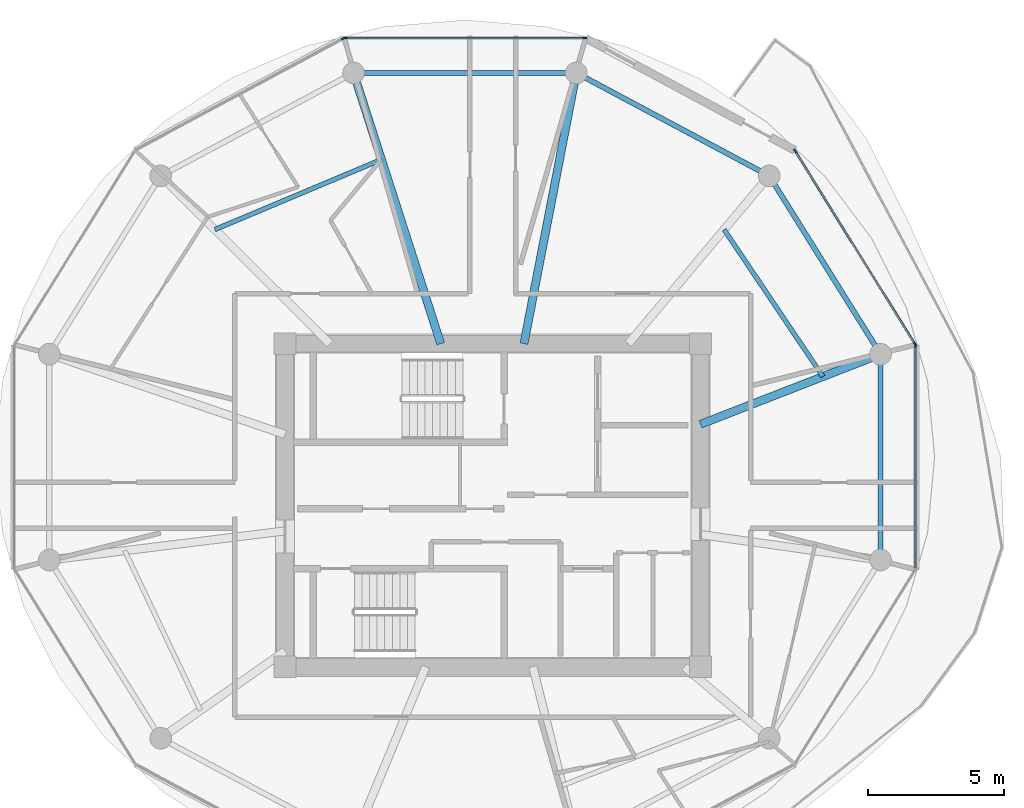
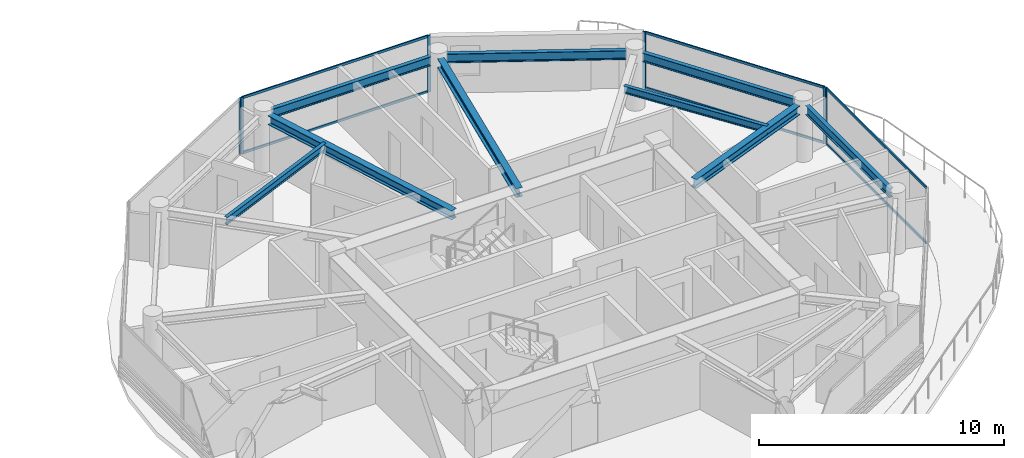
# One storey, part 11 of 23: 12 members, 9 beams, 4 elements without a shape of their own.
"""IFC4 building model written with IfcOpenShell, lengths in metres."""

from ifc_helpers import new_model, si_unit, direction, frame, origin, origin_2d, place, context, subcontext, project, spatial, rectangle, i_section, extrude, source, transform, mapped, material, layer, layer_set, material_profile, profile_set, type_object, type_shapes, element, aggregate, save


model = new_model("IFC4")

# Units and contexts
model_context = context("Model", 3, precision=1e-05, world=origin(), true_north=direction((0.0, 1.0)))
body_context = subcontext(model_context, "Body", "Model", "MODEL_VIEW")
ifc_project = project(units=[si_unit("LENGTHUNIT", "METRE"), si_unit("AREAUNIT", "SQUARE_METRE"), si_unit("VOLUMEUNIT", "CUBIC_METRE"), si_unit("PLANEANGLEUNIT", "RADIAN"), si_unit("MASSUNIT", "GRAM", prefix="KILO")], contexts=[model_context])

# Site, building, storey
site_placement = place(None, origin())
site = spatial("IfcSite", under=ifc_project, at=site_placement, CompositionType="ELEMENT")
building_placement = place(site_placement, origin())
building = spatial("IfcBuilding", under=site, at=building_placement, Name="Norrkilde Senior Care Towers", CompositionType="ELEMENT")
storey_placement = place(building_placement, frame((0.0, 0.0, 164.800048828125)))
storey = spatial("IfcBuildingStorey", under=building, at=storey_placement, Name="L51", CompositionType="ELEMENT", Elevation=164.800048828125)

# Beams
ifc_material_1 = material(Name="Steel S355", Category="steel")
ifc_material_profile_1 = material_profile(ifc_material_1, i_section(OverallWidth=0.18994140625, OverallDepth=0.449951171875, WebThickness=0.009521484375, FlangeThickness=0.0146484375, FilletRadius=0.02099609375, at=origin_2d()), Name="IPE 450")
ifc_profile_set_1 = profile_set([ifc_material_profile_1], Name="Steel S355")
beam_type_1 = type_object("IfcBeamType", Name="Perimeter Ring Spandrel Z3 IPE450", PredefinedType="SPANDREL", material=ifc_profile_set_1)
shared_shape_1 = source(origin(), body_context, "Body", "SweptSolid", [
    extrude(i_section(OverallWidth=0.18994140625, OverallDepth=0.449951171875, WebThickness=0.009521484375, FlangeThickness=0.0146484375, FilletRadius=0.02099609375, at=origin_2d()), origin(), (0.0, 0.0, 1.0), 7.0234375),
])
beam_1_placement = place(storey_placement, frame((42.09423828125, 5.872314453125, 2.5849609375), z_axis=(-0.529789577822, 0.848129119433, 0.0), x_axis=(-0.848129119433, -0.529789577822, 0.0)))
element("IfcBeam", 1, at=beam_1_placement, inside=storey, type_object=beam_type_1, Name="L51 Drum E Perimeter Spandrel 01", PredefinedType="SPANDREL", context=body_context, shape_type="MappedRepresentation", body=[
    mapped(shared_shape_1, transform((0.0, 0.0, 0.0), x_axis=(1.0, 0.0, 0.0), y_axis=(0.0, 1.0, 0.0), z_axis=(0.0, 0.0, 1.0), scale=1.0)),
])
shared_shape_2 = source(origin(), body_context, "Body", "SweptSolid", [
    extrude(i_section(OverallWidth=0.18994140625, OverallDepth=0.449951171875, WebThickness=0.009521484375, FlangeThickness=0.0146484375, FilletRadius=0.02099609375, at=origin_2d()), origin(), (0.0, 0.0, 1.0), 7.333740234375),
])
beam_2_placement = place(storey_placement, frame((37.864990234375, 12.303955078125, 2.5849609375), z_axis=(-0.882247866069, 0.470785198172, 0.0), x_axis=(-0.470785198172, -0.882247866069, 0.0)))
element("IfcBeam", 2, at=beam_2_placement, inside=storey, type_object=beam_type_1, Name="L51 Drum E Perimeter Spandrel 02", PredefinedType="SPANDREL", context=body_context, shape_type="MappedRepresentation", body=[
    mapped(shared_shape_2, transform((0.0, 0.0, 0.0), x_axis=(1.0, 0.0, 0.0), y_axis=(0.0, 1.0, 0.0), z_axis=(0.0, 0.0, 1.0), scale=1.0)),
])
shared_shape_3 = source(origin(), body_context, "Body", "SweptSolid", [
    extrude(i_section(OverallWidth=0.18994140625, OverallDepth=0.449951171875, WebThickness=0.009521484375, FlangeThickness=0.0146484375, FilletRadius=0.02099609375, at=origin_2d()), origin(), (0.0, 0.0, 1.0), 7.484619140625),
])
beam_3_placement = place(storey_placement, frame((30.71728515625, 15.92626953125, 2.5849609375), z_axis=(-1.0, 0.0, 0.0), x_axis=(0.0, -1.0, 0.0)))
element("IfcBeam", 3, at=beam_3_placement, inside=storey, type_object=beam_type_1, Name="L51 Drum E Perimeter Spandrel 03", PredefinedType="SPANDREL", context=body_context, shape_type="MappedRepresentation", body=[
    mapped(shared_shape_3, transform((0.0, 0.0, 0.0), x_axis=(1.0, 0.0, 0.0), y_axis=(0.0, 1.0, 0.0), z_axis=(0.0, 0.0, 1.0), scale=1.0)),
])
ifc_material_profile_2 = material_profile(ifc_material_1, i_section(OverallWidth=0.300048828125, OverallDepth=0.449951171875, WebThickness=0.013916015625, FlangeThickness=0.02587890625, FilletRadius=0.027099609375, at=origin_2d()), Name="HEB 450")
ifc_profile_set_2 = profile_set([ifc_material_profile_2], Name="Steel S355")
beam_type_2 = type_object("IfcBeamType", Name="Radial Floor Beam Z3 HEB450", PredefinedType="BEAM", material=ifc_profile_set_2)
shared_shape_4 = source(origin(), body_context, "Body", "SweptSolid", [
    extrude(i_section(OverallWidth=0.300048828125, OverallDepth=0.449951171875, WebThickness=0.013916015625, FlangeThickness=0.02587890625, FilletRadius=0.027099609375, at=origin_2d()), origin(), (0.0, 0.0, 1.0), 10.120361328125),
])
beam_4_placement = place(storey_placement, frame((26.08447265625, 5.949951171875, 2.5849609375), z_axis=(-0.306440973744, 0.951889662519, 0.0), x_axis=(-0.951889662519, -0.306440973744, 0.0)))
element("IfcBeam", 4, at=beam_4_placement, inside=storey, type_object=beam_type_2, Name="L51 Drum E Radial Floor Beam 04", PredefinedType="BEAM", context=body_context, shape_type="MappedRepresentation", body=[
    mapped(shared_shape_4, transform((0.0, 0.0, 0.0), x_axis=(1.0, 0.0, 0.0), y_axis=(0.0, 1.0, 0.0), z_axis=(0.0, 0.0, 1.0), scale=1.0)),
])
shared_shape_5 = source(origin(), body_context, "Body", "SweptSolid", [
    extrude(i_section(OverallWidth=0.300048828125, OverallDepth=0.449951171875, WebThickness=0.013916015625, FlangeThickness=0.02587890625, FilletRadius=0.027099609375, at=origin_2d()), origin(), (0.0, 0.0, 1.0), 9.80078125),
])
beam_5_placement = place(storey_placement, frame((29.149658203125, 5.949951171875, 2.5849609375), z_axis=(0.189716727661, 0.98183886827, 0.0), x_axis=(-0.98183886827, 0.189716727661, 0.0)))
element("IfcBeam", 5, at=beam_5_placement, inside=storey, type_object=beam_type_2, Name="L51 Drum E Radial Floor Beam 03", PredefinedType="BEAM", context=body_context, shape_type="MappedRepresentation", body=[
    mapped(shared_shape_5, transform((0.0, 0.0, 0.0), x_axis=(1.0, 0.0, 0.0), y_axis=(0.0, 1.0, 0.0), z_axis=(0.0, 0.0, 1.0), scale=1.0)),
])
shared_shape_6 = source(origin(), body_context, "Body", "SweptSolid", [
    extrude(i_section(OverallWidth=0.18994140625, OverallDepth=0.449951171875, WebThickness=0.009521484375, FlangeThickness=0.0146484375, FilletRadius=0.02099609375, at=origin_2d()), origin(), (0.0, 0.0, 1.0), 6.86328125),
])
type_shapes(beam_type_1, [shared_shape_1, shared_shape_2, shared_shape_3, shared_shape_6])
beam_6_placement = place(storey_placement, frame((42.284912109375, -1.65625, 2.5849609375), z_axis=(0.0, 1.0, 0.0), x_axis=(-1.0, 0.0, 0.0)))
element("IfcBeam", 6, at=beam_6_placement, inside=storey, type_object=beam_type_1, Name="L51 Drum E Perimeter Spandrel 12", PredefinedType="SPANDREL", context=body_context, shape_type="MappedRepresentation", body=[
    mapped(shared_shape_6, transform((0.0, 0.0, 0.0), x_axis=(1.0, 0.0, 0.0), y_axis=(0.0, 1.0, 0.0), z_axis=(0.0, 0.0, 1.0), scale=1.0)),
])
shared_shape_7 = source(origin(), body_context, "Body", "SweptSolid", [
    extrude(i_section(OverallWidth=0.300048828125, OverallDepth=0.449951171875, WebThickness=0.013916015625, FlangeThickness=0.02587890625, FilletRadius=0.027099609375, at=origin_2d()), origin(), (0.0, 0.0, 1.0), 6.760986328125),
])
type_shapes(beam_type_2, [shared_shape_4, shared_shape_5, shared_shape_7])
beam_7_placement = place(storey_placement, frame((35.64990234375, 2.981201171875, 2.5849609375), z_axis=(0.931742171387, 0.363120539297, 0.0), x_axis=(-0.363120539297, 0.931742171387, 0.0)))
element("IfcBeam", 7, at=beam_7_placement, inside=storey, type_object=beam_type_2, Name="L51 Drum E Radial Floor Beam 01", PredefinedType="BEAM", context=body_context, shape_type="MappedRepresentation", body=[
    mapped(shared_shape_7, transform((0.0, 0.0, 0.0), x_axis=(1.0, 0.0, 0.0), y_axis=(0.0, 1.0, 0.0), z_axis=(0.0, 0.0, 1.0), scale=1.0)),
])
ifc_material_profile_3 = material_profile(ifc_material_1, i_section(OverallWidth=0.169921875, OverallDepth=0.360107421875, WebThickness=0.008056640625, FlangeThickness=0.0126953125, FilletRadius=0.01806640625, at=origin_2d()), Name="IPE 360")
ifc_profile_set_3 = profile_set([ifc_material_profile_3], Name="Steel S355")
beam_type_3 = type_object("IfcBeamType", Name="Secondary Floor Joist IPE360", PredefinedType="JOIST", material=ifc_profile_set_3)
shared_shape_8 = source(origin(), body_context, "Body", "SweptSolid", [
    extrude(i_section(OverallWidth=0.169921875, OverallDepth=0.360107421875, WebThickness=0.008056640625, FlangeThickness=0.0126953125, FilletRadius=0.01806640625, at=origin_2d()), origin(), (0.0, 0.0, 1.0), 6.657470703125),
])
beam_8_placement = place(storey_placement, frame((23.900390625, 12.73388671875, 2.6298828125), z_axis=(-0.921958799252, -0.387287971, 0.0), x_axis=(0.387287971, -0.921958799252, 0.0)))
element("IfcBeam", 8, at=beam_8_placement, inside=storey, type_object=beam_type_3, Name="L51 Drum E Secondary Floor Joist 2", PredefinedType="JOIST", context=body_context, shape_type="MappedRepresentation", body=[
    mapped(shared_shape_8, transform((0.0, 0.0, 0.0), x_axis=(1.0, 0.0, 0.0), y_axis=(0.0, 1.0, 0.0), z_axis=(0.0, 0.0, 1.0), scale=1.0)),
])
shared_shape_9 = source(origin(), body_context, "Body", "SweptSolid", [
    extrude(i_section(OverallWidth=0.169921875, OverallDepth=0.360107421875, WebThickness=0.008056640625, FlangeThickness=0.0126953125, FilletRadius=0.01806640625, at=origin_2d()), origin(), (0.0, 0.0, 1.0), 6.525390625),
])
type_shapes(beam_type_3, [shared_shape_8, shared_shape_9])
beam_9_placement = place(storey_placement, frame((40.161865234375, 4.739501953125, 2.6298828125), z_axis=(-0.55779590102, 0.829978152005, 0.0), x_axis=(-0.829978152005, -0.55779590102, 0.0)))
element("IfcBeam", 9, at=beam_9_placement, inside=storey, type_object=beam_type_3, Name="L51 Drum E Secondary Floor Joist 1", PredefinedType="JOIST", context=body_context, shape_type="MappedRepresentation", body=[
    mapped(shared_shape_9, transform((0.0, 0.0, 0.0), x_axis=(1.0, 0.0, 0.0), y_axis=(0.0, 1.0, 0.0), z_axis=(0.0, 0.0, 1.0), scale=1.0)),
])

# Curtain wall, members
ifc_material_2 = material(Name="Triple Low-E Insulated Glazing", Category="glass")
ifc_layer = layer(ifc_material_2, 0.18994140625)
ifc_layer_set = layer_set([ifc_layer], Name="Triple Low-E Insulated Glazing")
curtain_wall_type = type_object("IfcCurtainWallType", Name="CW4 Zone 3 Senior Residence Curtain Wall", PredefinedType="NOTDEFINED", material=ifc_layer_set)
curtain_wall_1_placement = place(storey_placement, origin())
curtain_wall_1 = element("IfcCurtainWall", 10, at=curtain_wall_1_placement, inside=storey, type_object=curtain_wall_type, Name="L51 Drum E Curtain Wall 00", PredefinedType="NOTDEFINED")
ifc_material_3 = material(Name="Anodised Aluminium", Category="aluminium")
ifc_material_profile_4 = material_profile(ifc_material_3, rectangle(XDim=0.06494140625, YDim=0.14990234375, at=origin_2d()), Name="ALU MULL 65x150")
ifc_profile_set_4 = profile_set([ifc_material_profile_4], Name="Anodised Aluminium")
member_type_1 = type_object("IfcMemberType", Name="Curtain Wall Mullion Z3-Z4 65x150", PredefinedType="MULLION", material=ifc_profile_set_4)
shared_shape_10 = source(origin(), body_context, "Body", "SweptSolid", [
    extrude(rectangle(XDim=0.06494140625, YDim=0.14990234375, at=origin_2d()), origin(), (0.0, 0.0, 1.0), 2.81005859375),
])
type_shapes(member_type_1, [shared_shape_10])
member_1_placement = place(storey_placement, frame((39.14013671875, 13.04736328125, 0.0), z_axis=(0.0, 0.0, 1.0), x_axis=(0.84963405474, 0.52737270789, 0.0)))
member_1 = element("IfcMember", 11, at=member_1_placement, type_object=member_type_1, Name="CW-4 mullion 1", PredefinedType="MULLION", context=body_context, shape_type="MappedRepresentation", body=[
    mapped(shared_shape_10, transform((0.0, 0.0, 0.0), x_axis=(1.0, 0.0, 0.0), y_axis=(0.0, 1.0, 0.0), z_axis=(0.0, 0.0, 1.0), scale=1.0)),
])
member_2_placement = place(storey_placement, frame((43.552490234375, 5.93896484375, 0.0), z_axis=(0.0, 0.0, 1.0), x_axis=(0.84963405474, 0.52737270789, 0.0)))
member_2 = element("IfcMember", 12, at=member_2_placement, type_object=member_type_1, Name="CW-4 mullion 2", PredefinedType="MULLION", context=body_context, shape_type="MappedRepresentation", body=[
    mapped(shared_shape_10, transform((0.0, 0.0, 0.0), x_axis=(1.0, 0.0, 0.0), y_axis=(0.0, 1.0, 0.0), z_axis=(0.0, 0.0, 1.0), scale=1.0)),
])

curtain_wall_2_placement = place(storey_placement, origin())
curtain_wall_2 = element("IfcCurtainWall", 13, at=curtain_wall_2_placement, inside=storey, type_object=curtain_wall_type, Name="L51 Drum E Curtain Wall 02", PredefinedType="NOTDEFINED")
member_3_placement = place(storey_placement, frame((22.56103515625, 17.2109375, 0.0), z_axis=(0.0, 0.0, 1.0), x_axis=(0.0, 1.0, 0.0)))
member_3 = element("IfcMember", 14, at=member_3_placement, type_object=member_type_1, Name="CW-4 mullion 1", PredefinedType="MULLION", context=body_context, shape_type="MappedRepresentation", body=[
    mapped(shared_shape_10, transform((0.0, 0.0, 0.0), x_axis=(1.0, 0.0, 0.0), y_axis=(0.0, 1.0, 0.0), z_axis=(0.0, 0.0, 1.0), scale=1.0)),
])
member_4_placement = place(storey_placement, frame((31.388916015625, 17.2109375, 0.0), z_axis=(0.0, 0.0, 1.0), x_axis=(0.0, 1.0, 0.0)))
member_4 = element("IfcMember", 15, at=member_4_placement, type_object=member_type_1, Name="CW-4 mullion 2", PredefinedType="MULLION", context=body_context, shape_type="MappedRepresentation", body=[
    mapped(shared_shape_10, transform((0.0, 0.0, 0.0), x_axis=(1.0, 0.0, 0.0), y_axis=(0.0, 1.0, 0.0), z_axis=(0.0, 0.0, 1.0), scale=1.0)),
])

# Curtain wall, member
curtain_wall_3_placement = place(storey_placement, origin())
curtain_wall_3 = element("IfcCurtainWall", 16, at=curtain_wall_3_placement, inside=storey, type_object=curtain_wall_type, Name="L51 Drum E Curtain Wall 03", PredefinedType="NOTDEFINED")
member_5_placement = place(storey_placement, frame((22.499755859375, 17.195556640625, 0.0), z_axis=(0.0, 0.0, 1.0), x_axis=(-0.47311715104, 0.880999524059, 0.0)))
member_5 = element("IfcMember", 17, at=member_5_placement, type_object=member_type_1, Name="CW-4 mullion 2", PredefinedType="MULLION", context=body_context, shape_type="MappedRepresentation", body=[
    mapped(shared_shape_10, transform((0.0, 0.0, 0.0), x_axis=(1.0, 0.0, 0.0), y_axis=(0.0, 1.0, 0.0), z_axis=(0.0, 0.0, 1.0), scale=1.0)),
])
aggregate(curtain_wall_3, [member_5])

curtain_wall_4_placement = place(storey_placement, origin())
curtain_wall_4 = element("IfcCurtainWall", 18, at=curtain_wall_4_placement, inside=storey, type_object=curtain_wall_type, Name="L51 Drum E Curtain Wall 11", PredefinedType="NOTDEFINED")
member_6_placement = place(storey_placement, frame((43.569580078125, 5.878662109375, 0.0), z_axis=(0.0, 0.0, 1.0), x_axis=(1.0, 0.0, 0.0)))
member_6 = element("IfcMember", 19, at=member_6_placement, type_object=member_type_1, Name="CW-4 mullion 1", PredefinedType="MULLION", context=body_context, shape_type="MappedRepresentation", body=[
    mapped(shared_shape_10, transform((0.0, 0.0, 0.0), x_axis=(1.0, 0.0, 0.0), y_axis=(0.0, 1.0, 0.0), z_axis=(0.0, 0.0, 1.0), scale=1.0)),
])

# Member
ifc_material_profile_5 = material_profile(ifc_material_3, rectangle(XDim=0.06005859375, YDim=0.1201171875, at=origin_2d()), Name="ALU TRAN 60x120")
ifc_profile_set_5 = profile_set([ifc_material_profile_5], Name="Anodised Aluminium")
member_type_2 = type_object("IfcMemberType", Name="Curtain Wall Transom Typical 60x120", PredefinedType="USERDEFINED", material=ifc_profile_set_5)
shared_shape_11 = source(origin(), body_context, "Body", "SweptSolid", [
    extrude(rectangle(XDim=0.06005859375, YDim=0.1201171875, at=origin_2d()), origin(), (0.0, 0.0, 1.0), 8.301513671875),
])
member_7_placement = place(storey_placement, frame((39.157470703125, 13.019775390625, 0.030029296875), z_axis=(0.527368718394, -0.849636531029, 0.0), x_axis=(0.849636531029, 0.527368718394, 0.0)))
member_7 = element("IfcMember", 20, at=member_7_placement, type_object=member_type_2, Name="CW-4 transom 1.1", ObjectType="TRANSOM", PredefinedType="USERDEFINED", context=body_context, shape_type="MappedRepresentation", body=[
    mapped(shared_shape_11, transform((0.0, 0.0, 0.0), x_axis=(1.0, 0.0, 0.0), y_axis=(0.0, 1.0, 0.0), z_axis=(0.0, 0.0, 1.0), scale=1.0)),
])

member_8_placement = place(storey_placement, frame((39.157470703125, 13.019775390625, 2.780029296875), z_axis=(0.527368718394, -0.849636531029, 0.0), x_axis=(0.849636531029, 0.527368718394, 0.0)))
member_8 = element("IfcMember", 21, at=member_8_placement, type_object=member_type_2, Name="CW-4 transom 1.2", ObjectType="TRANSOM", PredefinedType="USERDEFINED", context=body_context, shape_type="MappedRepresentation", body=[
    mapped(shared_shape_11, transform((0.0, 0.0, 0.0), x_axis=(1.0, 0.0, 0.0), y_axis=(0.0, 1.0, 0.0), z_axis=(0.0, 0.0, 1.0), scale=1.0)),
])

aggregate(curtain_wall_1, [member_1, member_2, member_7, member_8])

shared_shape_12 = source(origin(), body_context, "Body", "SweptSolid", [
    extrude(rectangle(XDim=0.06005859375, YDim=0.1201171875, at=origin_2d()), origin(), (0.0, 0.0, 1.0), 8.762939453125),
])
member_9_placement = place(storey_placement, frame((22.593505859375, 17.2109375, 0.030029296875), z_axis=(1.0, 0.0, 0.0), x_axis=(0.0, 1.0, 0.0)))
member_9 = element("IfcMember", 22, at=member_9_placement, type_object=member_type_2, Name="CW-4 transom 1.1", ObjectType="TRANSOM", PredefinedType="USERDEFINED", context=body_context, shape_type="MappedRepresentation", body=[
    mapped(shared_shape_12, transform((0.0, 0.0, 0.0), x_axis=(1.0, 0.0, 0.0), y_axis=(0.0, 1.0, 0.0), z_axis=(0.0, 0.0, 1.0), scale=1.0)),
])

member_10_placement = place(storey_placement, frame((22.593505859375, 17.2109375, 2.780029296875), z_axis=(1.0, 0.0, 0.0), x_axis=(0.0, 1.0, 0.0)))
member_10 = element("IfcMember", 23, at=member_10_placement, type_object=member_type_2, Name="CW-4 transom 1.2", ObjectType="TRANSOM", PredefinedType="USERDEFINED", context=body_context, shape_type="MappedRepresentation", body=[
    mapped(shared_shape_12, transform((0.0, 0.0, 0.0), x_axis=(1.0, 0.0, 0.0), y_axis=(0.0, 1.0, 0.0), z_axis=(0.0, 0.0, 1.0), scale=1.0)),
])

aggregate(curtain_wall_2, [member_3, member_4, member_9, member_10])

shared_shape_13 = source(origin(), body_context, "Body", "SweptSolid", [
    extrude(rectangle(XDim=0.06005859375, YDim=0.1201171875, at=origin_2d()), origin(), (0.0, 0.0, 1.0), 8.141845703125),
])
type_shapes(member_type_2, [shared_shape_11, shared_shape_12, shared_shape_13])
member_11_placement = place(storey_placement, frame((43.569580078125, 5.84619140625, 0.030029296875), z_axis=(0.0, -1.0, 0.0), x_axis=(1.0, 0.0, 0.0)))
member_11 = element("IfcMember", 24, at=member_11_placement, type_object=member_type_2, Name="CW-4 transom 1.1", ObjectType="TRANSOM", PredefinedType="USERDEFINED", context=body_context, shape_type="MappedRepresentation", body=[
    mapped(shared_shape_13, transform((0.0, 0.0, 0.0), x_axis=(1.0, 0.0, 0.0), y_axis=(0.0, 1.0, 0.0), z_axis=(0.0, 0.0, 1.0), scale=1.0)),
])

member_12_placement = place(storey_placement, frame((43.569580078125, 5.84619140625, 2.780029296875), z_axis=(0.0, -1.0, 0.0), x_axis=(1.0, 0.0, 0.0)))
member_12 = element("IfcMember", 25, at=member_12_placement, type_object=member_type_2, Name="CW-4 transom 1.2", ObjectType="TRANSOM", PredefinedType="USERDEFINED", context=body_context, shape_type="MappedRepresentation", body=[
    mapped(shared_shape_13, transform((0.0, 0.0, 0.0), x_axis=(1.0, 0.0, 0.0), y_axis=(0.0, 1.0, 0.0), z_axis=(0.0, 0.0, 1.0), scale=1.0)),
])

aggregate(curtain_wall_4, [member_6, member_11, member_12])

save(model, "model.ifc")
